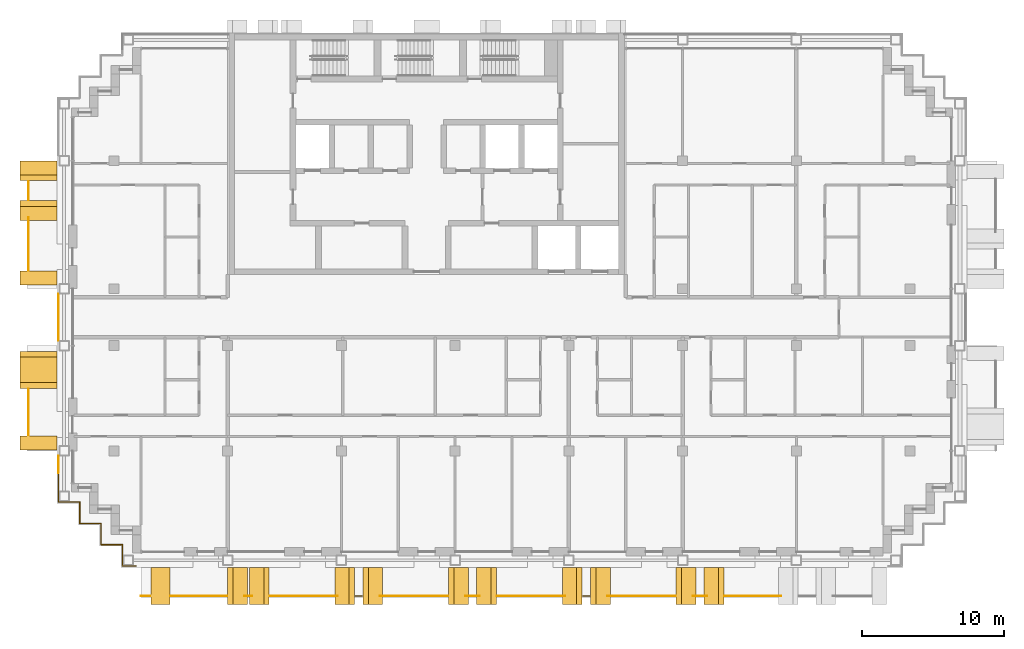
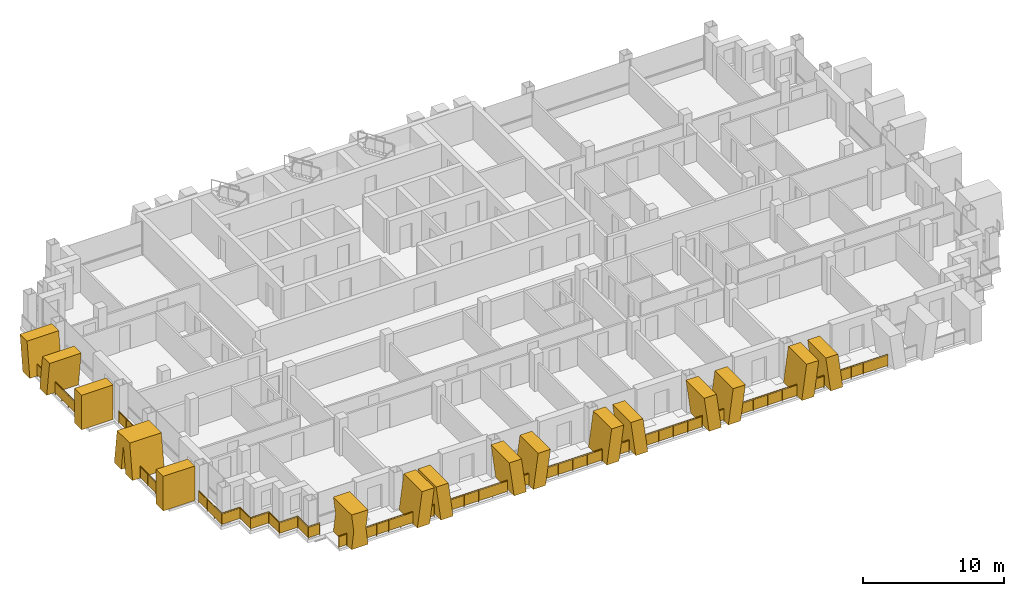
# One storey, part 13 of 16: 18 railings, 16 shading devices.
"""IFC4 building model written with IfcOpenShell, lengths in metres."""

from ifc_helpers import new_model, si_unit, direction, frame, origin, origin_2d, place, context, subcontext, project, spatial, polyline, rectangle, circle, outline, extrude, material, layer, layer_set, type_object, element, save


model = new_model("IFC4")

# Units and contexts
model_context = context("Model", 3, precision=1e-05, world=origin(), true_north=direction((0.0, 1.0)))
body_context = subcontext(model_context, "Body", "Model", "MODEL_VIEW")
ifc_project = project(units=[si_unit("LENGTHUNIT", "METRE"), si_unit("AREAUNIT", "SQUARE_METRE"), si_unit("VOLUMEUNIT", "CUBIC_METRE"), si_unit("PLANEANGLEUNIT", "RADIAN"), si_unit("MASSUNIT", "GRAM", prefix="KILO")], contexts=[model_context])

# Site, building, storey
site_placement = place(None, origin())
site = spatial("IfcSite", under=ifc_project, at=site_placement, CompositionType="ELEMENT")
building_placement = place(site_placement, origin())
building = spatial("IfcBuilding", under=site, at=building_placement, Name="Vidyagriha Tower", CompositionType="ELEMENT")
storey_placement = place(building_placement, frame((0.0, 0.0, 187.699951171875)))
storey = spatial("IfcBuildingStorey", under=building, at=storey_placement, Name="L49", CompositionType="ELEMENT", Elevation=187.699951171875)

# Railings
ifc_material_1 = material(Name="Steel ASTM A500 Grade C black painted", Category="steel")
railing_type_1 = type_object("IfcRailingType", Name="Balcony guard 1100", PredefinedType="BALUSTRADE", material=ifc_material_1)
railing_1_placement = place(storey_placement, frame((-28.0, 9.550048828125, 0.0)))
element("IfcRailing", 1, at=railing_1_placement, inside=storey, type_object=railing_type_1, Name="Balcony guard L49 R16.1-1", PredefinedType="BALUSTRADE", context=body_context, shape_type="SweptSolid", body=[
    extrude(circle(Radius=0.02490234375, at=origin_2d()), frame((0.0, 0.0, 1.0751953125), z_axis=(0.0, -1.0, 0.0), x_axis=(1.0, 0.0, 0.0)), (0.0, 0.0, 1.0), 1.300048828125),
    extrude(circle(Radius=0.02001953125, at=origin_2d()), origin(), (0.0, 0.0, 1.0), 1.050048828125),
    extrude(circle(Radius=0.02001953125, at=origin_2d()), frame((0.0, -0.64990234375, 0.0)), (0.0, 0.0, 1.0), 1.050048828125),
    extrude(circle(Radius=0.02001953125, at=origin_2d()), frame((0.0, -1.300048828125, 0.0)), (0.0, 0.0, 1.0), 1.050048828125),
    extrude(rectangle(XDim=0.010009765625, YDim=0.900146484375, at=origin_2d()), frame((0.0, 0.0, 0.550048828125), z_axis=(0.0, -1.0, 0.0), x_axis=(1.0, 0.0, 0.0)), (0.0, 0.0, 1.0), 1.300048828125),
])
railing_2_placement = place(storey_placement, frame((-28.0, 6.99658203125, 0.0)))
element("IfcRailing", 2, at=railing_2_placement, inside=storey, type_object=railing_type_1, Name="Balcony guard L49 R16.1-2", PredefinedType="BALUSTRADE", context=body_context, shape_type="SweptSolid", body=[
    extrude(circle(Radius=0.02490234375, at=origin_2d()), frame((0.0, 0.0, 1.0751953125), z_axis=(0.0, -1.0, 0.0), x_axis=(1.0, 0.0, 0.0)), (0.0, 0.0, 1.0), 3.696533203125),
    extrude(circle(Radius=0.02001953125, at=origin_2d()), origin(), (0.0, 0.0, 1.0), 1.050048828125),
    extrude(circle(Radius=0.02001953125, at=origin_2d()), frame((0.0, -0.924072265625, 0.0)), (0.0, 0.0, 1.0), 1.050048828125),
    extrude(circle(Radius=0.02001953125, at=origin_2d()), frame((0.0, -1.84814453125, 0.0)), (0.0, 0.0, 1.0), 1.050048828125),
    extrude(circle(Radius=0.02001953125, at=origin_2d()), frame((0.0, -2.7724609375, 0.0)), (0.0, 0.0, 1.0), 1.050048828125),
    extrude(circle(Radius=0.02001953125, at=origin_2d()), frame((0.0, -3.696533203125, 0.0)), (0.0, 0.0, 1.0), 1.050048828125),
    extrude(rectangle(XDim=0.010009765625, YDim=0.900146484375, at=origin_2d()), frame((0.0, 0.0, 0.550048828125), z_axis=(0.0, -1.0, 0.0), x_axis=(1.0, 0.0, 0.0)), (0.0, 0.0, 1.0), 3.696533203125),
])
railing_3_placement = place(storey_placement, frame((-28.0, -5.050048828125, 0.0)))
element("IfcRailing", 3, at=railing_3_placement, inside=storey, type_object=railing_type_1, Name="Balcony guard L49 R16.2-1", PredefinedType="BALUSTRADE", context=body_context, shape_type="SweptSolid", body=[
    extrude(circle(Radius=0.02490234375, at=origin_2d()), frame((0.0, 0.0, 1.0751953125), z_axis=(0.0, -1.0, 0.0), x_axis=(1.0, 0.0, 0.0)), (0.0, 0.0, 1.0), 3.25),
    extrude(circle(Radius=0.02001953125, at=origin_2d()), origin(), (0.0, 0.0, 1.0), 1.050048828125),
    extrude(circle(Radius=0.02001953125, at=origin_2d()), frame((0.0, -1.083251953125, 0.0)), (0.0, 0.0, 1.0), 1.050048828125),
    extrude(circle(Radius=0.02001953125, at=origin_2d()), frame((0.0, -2.166748046875, 0.0)), (0.0, 0.0, 1.0), 1.050048828125),
    extrude(circle(Radius=0.02001953125, at=origin_2d()), frame((0.0, -3.25, 0.0)), (0.0, 0.0, 1.0), 1.050048828125),
    extrude(rectangle(XDim=0.010009765625, YDim=0.900146484375, at=origin_2d()), frame((0.0, 0.0, 0.550048828125), z_axis=(0.0, -1.0, 0.0), x_axis=(1.0, 0.0, 0.0)), (0.0, 0.0, 1.0), 3.25),
])
railing_4_placement = place(storey_placement, frame((-20.10009765625, -19.60009765625, 0.0)))
element("IfcRailing", 4, at=railing_4_placement, inside=storey, type_object=railing_type_1, Name="Balcony guard L49 R23.1-1", PredefinedType="BALUSTRADE", context=body_context, shape_type="SweptSolid", body=[
    extrude(circle(Radius=0.02490234375, at=origin_2d()), frame((0.0, 0.0, 1.0751953125), z_axis=(1.0, 0.0, 0.0), x_axis=(0.0, 1.0, 0.0)), (0.0, 0.0, 1.0), 0.650146484375),
    extrude(circle(Radius=0.02001953125, at=origin_2d()), origin(), (0.0, 0.0, 1.0), 1.050048828125),
    extrude(circle(Radius=0.02001953125, at=origin_2d()), frame((0.650146484375, 0.0, 0.0)), (0.0, 0.0, 1.0), 1.050048828125),
    extrude(rectangle(XDim=0.010009765625, YDim=0.900146484375, at=origin_2d()), frame((0.0, 0.0, 0.550048828125), z_axis=(1.0, 0.0, 0.0), x_axis=(0.0, 1.0, 0.0)), (0.0, 0.0, 1.0), 0.650146484375),
])
railing_5_placement = place(storey_placement, frame((-18.0, -19.60009765625, 0.0)))
element("IfcRailing", 5, at=railing_5_placement, inside=storey, type_object=railing_type_1, Name="Balcony guard L49 R23.1-2", PredefinedType="BALUSTRADE", context=body_context, shape_type="SweptSolid", body=[
    extrude(circle(Radius=0.02490234375, at=origin_2d()), frame((0.0, 0.0, 1.0751953125), z_axis=(1.0, 0.0, 0.0), x_axis=(0.0, 1.0, 0.0)), (0.0, 0.0, 1.0), 3.947265625),
    extrude(circle(Radius=0.02001953125, at=origin_2d()), origin(), (0.0, 0.0, 1.0), 1.050048828125),
    extrude(circle(Radius=0.02001953125, at=origin_2d()), frame((0.98681640625, 0.0, 0.0)), (0.0, 0.0, 1.0), 1.050048828125),
    extrude(circle(Radius=0.02001953125, at=origin_2d()), frame((1.9736328125, 0.0, 0.0)), (0.0, 0.0, 1.0), 1.050048828125),
    extrude(circle(Radius=0.02001953125, at=origin_2d()), frame((2.96044921875, 0.0, 0.0)), (0.0, 0.0, 1.0), 1.050048828125),
    extrude(circle(Radius=0.02001953125, at=origin_2d()), frame((3.947265625, 0.0, 0.0)), (0.0, 0.0, 1.0), 1.050048828125),
    extrude(rectangle(XDim=0.010009765625, YDim=0.900146484375, at=origin_2d()), frame((0.0, 0.0, 0.550048828125), z_axis=(1.0, 0.0, 0.0), x_axis=(0.0, 1.0, 0.0)), (0.0, 0.0, 1.0), 3.947265625),
])
railing_6_placement = place(storey_placement, frame((-12.8046875, -19.60009765625, 0.0)))
element("IfcRailing", 6, at=railing_6_placement, inside=storey, type_object=railing_type_1, Name="Balcony guard L49 R23.1-3", PredefinedType="BALUSTRADE", context=body_context, shape_type="SweptSolid", body=[
    extrude(circle(Radius=0.02490234375, at=origin_2d()), frame((0.0, 0.0, 1.0751953125), z_axis=(1.0, 0.0, 0.0), x_axis=(0.0, 1.0, 0.0)), (0.0, 0.0, 1.0), 0.534423828125),
    extrude(circle(Radius=0.02001953125, at=origin_2d()), origin(), (0.0, 0.0, 1.0), 1.050048828125),
    extrude(circle(Radius=0.02001953125, at=origin_2d()), frame((0.534423828125, 0.0, 0.0)), (0.0, 0.0, 1.0), 1.050048828125),
    extrude(rectangle(XDim=0.010009765625, YDim=0.900146484375, at=origin_2d()), frame((0.0, 0.0, 0.550048828125), z_axis=(1.0, 0.0, 0.0), x_axis=(0.0, 1.0, 0.0)), (0.0, 0.0, 1.0), 0.534423828125),
])
railing_7_placement = place(storey_placement, frame((-11.022216796875, -19.60009765625, 0.0)))
element("IfcRailing", 7, at=railing_7_placement, inside=storey, type_object=railing_type_1, Name="Balcony guard L49 R23.1-4", PredefinedType="BALUSTRADE", context=body_context, shape_type="SweptSolid", body=[
    extrude(circle(Radius=0.02490234375, at=origin_2d()), frame((0.0, 0.0, 1.0751953125), z_axis=(1.0, 0.0, 0.0), x_axis=(0.0, 1.0, 0.0)), (0.0, 0.0, 1.0), 4.755859375),
    extrude(circle(Radius=0.02001953125, at=origin_2d()), origin(), (0.0, 0.0, 1.0), 1.050048828125),
    extrude(circle(Radius=0.02001953125, at=origin_2d()), frame((1.18896484375, 0.0, 0.0)), (0.0, 0.0, 1.0), 1.050048828125),
    extrude(circle(Radius=0.02001953125, at=origin_2d()), frame((2.3779296875, 0.0, 0.0)), (0.0, 0.0, 1.0), 1.050048828125),
    extrude(circle(Radius=0.02001953125, at=origin_2d()), frame((3.56689453125, 0.0, 0.0)), (0.0, 0.0, 1.0), 1.050048828125),
    extrude(circle(Radius=0.02001953125, at=origin_2d()), frame((4.755859375, 0.0, 0.0)), (0.0, 0.0, 1.0), 1.050048828125),
    extrude(rectangle(XDim=0.010009765625, YDim=0.900146484375, at=origin_2d()), frame((0.0, 0.0, 0.550048828125), z_axis=(1.0, 0.0, 0.0), x_axis=(0.0, 1.0, 0.0)), (0.0, 0.0, 1.0), 4.755859375),
])
railing_8_placement = place(storey_placement, frame((-5.014892578125, -19.60009765625, 0.0)))
element("IfcRailing", 8, at=railing_8_placement, inside=storey, type_object=railing_type_1, Name="Balcony guard L49 R23.1-5", PredefinedType="BALUSTRADE", context=body_context, shape_type="SweptSolid", body=[
    extrude(circle(Radius=0.02490234375, at=origin_2d()), frame((0.0, 0.0, 1.0751953125), z_axis=(1.0, 0.0, 0.0), x_axis=(0.0, 1.0, 0.0)), (0.0, 0.0, 1.0), 0.47998046875),
    extrude(circle(Radius=0.02001953125, at=origin_2d()), origin(), (0.0, 0.0, 1.0), 1.050048828125),
    extrude(circle(Radius=0.02001953125, at=origin_2d()), frame((0.47998046875, 0.0, 0.0)), (0.0, 0.0, 1.0), 1.050048828125),
    extrude(rectangle(XDim=0.010009765625, YDim=0.900146484375, at=origin_2d()), frame((0.0, 0.0, 0.550048828125), z_axis=(1.0, 0.0, 0.0), x_axis=(0.0, 1.0, 0.0)), (0.0, 0.0, 1.0), 0.47998046875),
])
railing_9_placement = place(storey_placement, frame((-3.28369140625, -19.60009765625, 0.0)))
element("IfcRailing", 9, at=railing_9_placement, inside=storey, type_object=railing_type_1, Name="Balcony guard L49 R23.1-6", PredefinedType="BALUSTRADE", context=body_context, shape_type="SweptSolid", body=[
    extrude(circle(Radius=0.02490234375, at=origin_2d()), frame((0.0, 0.0, 1.0751953125), z_axis=(1.0, 0.0, 0.0), x_axis=(0.0, 1.0, 0.0)), (0.0, 0.0, 1.0), 4.773681640625),
    extrude(circle(Radius=0.02001953125, at=origin_2d()), origin(), (0.0, 0.0, 1.0), 1.050048828125),
    extrude(circle(Radius=0.02001953125, at=origin_2d()), frame((1.193359375, 0.0, 0.0)), (0.0, 0.0, 1.0), 1.050048828125),
    extrude(circle(Radius=0.02001953125, at=origin_2d()), frame((2.38671875, 0.0, 0.0)), (0.0, 0.0, 1.0), 1.050048828125),
    extrude(circle(Radius=0.02001953125, at=origin_2d()), frame((3.580322265625, 0.0, 0.0)), (0.0, 0.0, 1.0), 1.050048828125),
    extrude(circle(Radius=0.02001953125, at=origin_2d()), frame((4.773681640625, 0.0, 0.0)), (0.0, 0.0, 1.0), 1.050048828125),
    extrude(rectangle(XDim=0.010009765625, YDim=0.900146484375, at=origin_2d()), frame((0.0, 0.0, 0.550048828125), z_axis=(1.0, 0.0, 0.0), x_axis=(0.0, 1.0, 0.0)), (0.0, 0.0, 1.0), 4.773681640625),
])
railing_10_placement = place(storey_placement, frame((2.741455078125, -19.60009765625, 0.0)))
element("IfcRailing", 10, at=railing_10_placement, inside=storey, type_object=railing_type_1, Name="Balcony guard L49 R23.1-7", PredefinedType="BALUSTRADE", context=body_context, shape_type="SweptSolid", body=[
    extrude(circle(Radius=0.02490234375, at=origin_2d()), frame((0.0, 0.0, 1.0751953125), z_axis=(1.0, 0.0, 0.0), x_axis=(0.0, 1.0, 0.0)), (0.0, 0.0, 1.0), 0.967041015625),
    extrude(circle(Radius=0.02001953125, at=origin_2d()), origin(), (0.0, 0.0, 1.0), 1.050048828125),
    extrude(circle(Radius=0.02001953125, at=origin_2d()), frame((0.967041015625, 0.0, 0.0)), (0.0, 0.0, 1.0), 1.050048828125),
    extrude(rectangle(XDim=0.010009765625, YDim=0.900146484375, at=origin_2d()), frame((0.0, 0.0, 0.550048828125), z_axis=(1.0, 0.0, 0.0), x_axis=(0.0, 1.0, 0.0)), (0.0, 0.0, 1.0), 0.967041015625),
])
railing_11_placement = place(storey_placement, frame((4.9599609375, -19.60009765625, 0.0)))
element("IfcRailing", 11, at=railing_11_placement, inside=storey, type_object=railing_type_1, Name="Balcony guard L49 R23.1-8", PredefinedType="BALUSTRADE", context=body_context, shape_type="SweptSolid", body=[
    extrude(circle(Radius=0.02490234375, at=origin_2d()), frame((0.0, 0.0, 1.0751953125), z_axis=(1.0, 0.0, 0.0), x_axis=(0.0, 1.0, 0.0)), (0.0, 0.0, 1.0), 4.773681640625),
    extrude(circle(Radius=0.02001953125, at=origin_2d()), origin(), (0.0, 0.0, 1.0), 1.050048828125),
    extrude(circle(Radius=0.02001953125, at=origin_2d()), frame((1.193359375, 0.0, 0.0)), (0.0, 0.0, 1.0), 1.050048828125),
    extrude(circle(Radius=0.02001953125, at=origin_2d()), frame((2.38671875, 0.0, 0.0)), (0.0, 0.0, 1.0), 1.050048828125),
    extrude(circle(Radius=0.02001953125, at=origin_2d()), frame((3.580322265625, 0.0, 0.0)), (0.0, 0.0, 1.0), 1.050048828125),
    extrude(circle(Radius=0.02001953125, at=origin_2d()), frame((4.773681640625, 0.0, 0.0)), (0.0, 0.0, 1.0), 1.050048828125),
    extrude(rectangle(XDim=0.010009765625, YDim=0.900146484375, at=origin_2d()), frame((0.0, 0.0, 0.550048828125), z_axis=(1.0, 0.0, 0.0), x_axis=(0.0, 1.0, 0.0)), (0.0, 0.0, 1.0), 4.773681640625),
])
railing_12_placement = place(storey_placement, frame((10.985107421875, -19.60009765625, 0.0)))
element("IfcRailing", 12, at=railing_12_placement, inside=storey, type_object=railing_type_1, Name="Balcony guard L49 R23.1-9", PredefinedType="BALUSTRADE", context=body_context, shape_type="SweptSolid", body=[
    extrude(circle(Radius=0.02490234375, at=origin_2d()), frame((0.0, 0.0, 1.0751953125), z_axis=(1.0, 0.0, 0.0), x_axis=(0.0, 1.0, 0.0)), (0.0, 0.0, 1.0), 0.47998046875),
    extrude(circle(Radius=0.02001953125, at=origin_2d()), origin(), (0.0, 0.0, 1.0), 1.050048828125),
    extrude(circle(Radius=0.02001953125, at=origin_2d()), frame((0.47998046875, 0.0, 0.0)), (0.0, 0.0, 1.0), 1.050048828125),
    extrude(rectangle(XDim=0.010009765625, YDim=0.900146484375, at=origin_2d()), frame((0.0, 0.0, 0.550048828125), z_axis=(1.0, 0.0, 0.0), x_axis=(0.0, 1.0, 0.0)), (0.0, 0.0, 1.0), 0.47998046875),
])
railing_13_placement = place(storey_placement, frame((12.71630859375, -19.60009765625, 0.0)))
element("IfcRailing", 13, at=railing_13_placement, inside=storey, type_object=railing_type_1, Name="Balcony guard L49 R23.1-10", PredefinedType="BALUSTRADE", context=body_context, shape_type="SweptSolid", body=[
    extrude(circle(Radius=0.02490234375, at=origin_2d()), frame((0.0, 0.0, 1.0751953125), z_axis=(1.0, 0.0, 0.0), x_axis=(0.0, 1.0, 0.0)), (0.0, 0.0, 1.0), 4.773681640625),
    extrude(circle(Radius=0.02001953125, at=origin_2d()), origin(), (0.0, 0.0, 1.0), 1.050048828125),
    extrude(circle(Radius=0.02001953125, at=origin_2d()), frame((1.193359375, 0.0, 0.0)), (0.0, 0.0, 1.0), 1.050048828125),
    extrude(circle(Radius=0.02001953125, at=origin_2d()), frame((2.38671875, 0.0, 0.0)), (0.0, 0.0, 1.0), 1.050048828125),
    extrude(circle(Radius=0.02001953125, at=origin_2d()), frame((3.580322265625, 0.0, 0.0)), (0.0, 0.0, 1.0), 1.050048828125),
    extrude(circle(Radius=0.02001953125, at=origin_2d()), frame((4.773681640625, 0.0, 0.0)), (0.0, 0.0, 1.0), 1.050048828125),
    extrude(rectangle(XDim=0.010009765625, YDim=0.900146484375, at=origin_2d()), frame((0.0, 0.0, 0.550048828125), z_axis=(1.0, 0.0, 0.0), x_axis=(0.0, 1.0, 0.0)), (0.0, 0.0, 1.0), 4.773681640625),
])
railing_14_placement = place(storey_placement, frame((18.741455078125, -19.60009765625, 0.0)))
element("IfcRailing", 14, at=railing_14_placement, inside=storey, type_object=railing_type_1, Name="Balcony guard L49 R23.1-11", PredefinedType="BALUSTRADE", context=body_context, shape_type="SweptSolid", body=[
    extrude(circle(Radius=0.02490234375, at=origin_2d()), frame((0.0, 0.0, 1.0751953125), z_axis=(1.0, 0.0, 0.0), x_axis=(0.0, 1.0, 0.0)), (0.0, 0.0, 1.0), 0.967041015625),
    extrude(circle(Radius=0.02001953125, at=origin_2d()), origin(), (0.0, 0.0, 1.0), 1.050048828125),
    extrude(circle(Radius=0.02001953125, at=origin_2d()), frame((0.967041015625, 0.0, 0.0)), (0.0, 0.0, 1.0), 1.050048828125),
    extrude(rectangle(XDim=0.010009765625, YDim=0.900146484375, at=origin_2d()), frame((0.0, 0.0, 0.550048828125), z_axis=(1.0, 0.0, 0.0), x_axis=(0.0, 1.0, 0.0)), (0.0, 0.0, 1.0), 0.967041015625),
])
railing_15_placement = place(storey_placement, frame((20.9599609375, -19.60009765625, 0.0)))
element("IfcRailing", 15, at=railing_15_placement, inside=storey, type_object=railing_type_1, Name="Balcony guard L49 R23.1-12", PredefinedType="BALUSTRADE", context=body_context, shape_type="SweptSolid", body=[
    extrude(circle(Radius=0.02490234375, at=origin_2d()), frame((0.0, 0.0, 1.0751953125), z_axis=(1.0, 0.0, 0.0), x_axis=(0.0, 1.0, 0.0)), (0.0, 0.0, 1.0), 3.97119140625),
    extrude(circle(Radius=0.02001953125, at=origin_2d()), origin(), (0.0, 0.0, 1.0), 1.050048828125),
    extrude(circle(Radius=0.02001953125, at=origin_2d()), frame((0.99267578125, 0.0, 0.0)), (0.0, 0.0, 1.0), 1.050048828125),
    extrude(circle(Radius=0.02001953125, at=origin_2d()), frame((1.985595703125, 0.0, 0.0)), (0.0, 0.0, 1.0), 1.050048828125),
    extrude(circle(Radius=0.02001953125, at=origin_2d()), frame((2.978515625, 0.0, 0.0)), (0.0, 0.0, 1.0), 1.050048828125),
    extrude(circle(Radius=0.02001953125, at=origin_2d()), frame((3.97119140625, 0.0, 0.0)), (0.0, 0.0, 1.0), 1.050048828125),
    extrude(rectangle(XDim=0.010009765625, YDim=0.900146484375, at=origin_2d()), frame((0.0, 0.0, 0.550048828125), z_axis=(1.0, 0.0, 0.0), x_axis=(0.0, 1.0, 0.0)), (0.0, 0.0, 1.0), 3.97119140625),
])

# Shading devices
ifc_material_2 = material(Name="Precast concrete C40/50 with buff brick facing", Category="concrete")
ifc_layer_1 = layer(ifc_material_2, 1.0)
ifc_layer_set_1 = layer_set([ifc_layer_1], Name="Precast concrete C40/50 with buff brick facing")
shading_device_type_1 = type_object("IfcShadingDeviceType", Name="Brick-faced blade fin arm leaning 8 degrees", PredefinedType="USERDEFINED", material=ifc_layer_set_1)
shading_device_1_placement = place(storey_placement, frame((-27.300048828125, 8.199951171875, 0.0), z_axis=(0.0, 0.0, 1.0), x_axis=(0.0, -1.0, 0.0)))
element("IfcShadingDevice", 16, at=shading_device_1_placement, inside=storey, type_object=shading_device_type_1, Name="Leaning blade fin L49 R16.310a", ObjectType="BLADE FIN", PredefinedType="USERDEFINED", context=body_context, shape_type="SweptSolid", body=[
    extrude(outline(polyline([(0.0, 0.0), (1.0, 0.0), (1.39990234375, 3.0), (0.39990234375, 3.0), (0.0, 0.0)])), frame((0.0, 1.300048828125, 0.0), z_axis=(0.0, -1.0, 0.0), x_axis=(1.0, 0.0, 0.0)), (0.0, 0.0, 1.0), 2.60009765625),
])
shading_device_2_placement = place(storey_placement, frame((-27.300048828125, 11.0, 0.0), z_axis=(0.0, 0.0, 1.0), x_axis=(0.0, -1.0, 0.0)))
element("IfcShadingDevice", 17, at=shading_device_2_placement, inside=storey, type_object=shading_device_type_1, Name="Leaning blade fin L49 R16.310b", ObjectType="BLADE FIN", PredefinedType="USERDEFINED", context=body_context, shape_type="SweptSolid", body=[
    extrude(outline(polyline([(0.39990234375, 0.0), (1.39990234375, 0.0), (1.0, 3.0), (0.0, 3.0), (0.39990234375, 0.0)])), frame((0.0, 1.300048828125, 0.0), z_axis=(0.0, -1.0, 0.0), x_axis=(1.0, 0.0, 0.0)), (0.0, 0.0, 1.0), 2.60009765625),
])
shading_device_3_placement = place(storey_placement, frame((-12.458251953125, -18.89990234375, 0.0)))
element("IfcShadingDevice", 18, at=shading_device_3_placement, inside=storey, type_object=shading_device_type_1, Name="Leaning blade fin L49 R23.610a", ObjectType="BLADE FIN", PredefinedType="USERDEFINED", context=body_context, shape_type="SweptSolid", body=[
    extrude(outline(polyline([(0.385986328125, 0.0), (1.385986328125, 0.0), (1.0, 3.0), (0.0, 3.0), (0.385986328125, 0.0)])), frame((0.0, 1.300048828125, 0.0), z_axis=(0.0, -1.0, 0.0), x_axis=(1.0, 0.0, 0.0)), (0.0, 0.0, 1.0), 2.60009765625),
])
shading_device_4_placement = place(storey_placement, frame((-14.002685546875, -18.89990234375, 0.0)))
element("IfcShadingDevice", 19, at=shading_device_4_placement, inside=storey, type_object=shading_device_type_1, Name="Leaning blade fin L49 R23.610b", ObjectType="BLADE FIN", PredefinedType="USERDEFINED", context=body_context, shape_type="SweptSolid", body=[
    extrude(outline(polyline([(0.0, 0.0), (1.0, 0.0), (1.385986328125, 3.0), (0.385986328125, 3.0), (0.0, 0.0)])), frame((0.0, 1.300048828125, 0.0), z_axis=(0.0, -1.0, 0.0), x_axis=(1.0, 0.0, 0.0)), (0.0, 0.0, 1.0), 2.60009765625),
])
shading_device_5_placement = place(storey_placement, frame((-4.485107421875, -18.89990234375, 0.0)))
element("IfcShadingDevice", 20, at=shading_device_5_placement, inside=storey, type_object=shading_device_type_1, Name="Leaning blade fin L49 R23.1410a", ObjectType="BLADE FIN", PredefinedType="USERDEFINED", context=body_context, shape_type="SweptSolid", body=[
    extrude(outline(polyline([(0.0, 0.0), (1.0, 0.0), (1.39501953125, 3.0), (0.39501953125, 3.0), (0.0, 0.0)])), frame((0.0, 1.300048828125, 0.0), z_axis=(0.0, -1.0, 0.0), x_axis=(1.0, 0.0, 0.0)), (0.0, 0.0, 1.0), 2.60009765625),
])
for number, where, name in (
    (21, (-6.4599609375, -18.89990234375, 0.0), "Leaning blade fin L49 R23.1410b"),
    (22, (3.514892578125, -18.89990234375, 0.0), "Leaning blade fin L49 R23.2210a"),
):
    element("IfcShadingDevice", number, at=place(storey_placement, frame(where)), inside=storey, type_object=shading_device_type_1, Name=name, ObjectType="BLADE FIN", PredefinedType="USERDEFINED", context=body_context, shape_type="SweptSolid", body=[
        extrude(outline(polyline([(0.39501953125, 0.0), (1.39501953125, 0.0), (1.0, 3.0), (0.0, 3.0), (0.39501953125, 0.0)])), frame((0.0, 1.300048828125, 0.0), z_axis=(0.0, -1.0, 0.0), x_axis=(1.0, 0.0, 0.0)), (0.0, 0.0, 1.0), 2.60009765625),
    ])
for number, where, name in (
    (23, (1.5400390625, -18.89990234375, 0.0), "Leaning blade fin L49 R23.2210b"),
    (24, (11.514892578125, -18.89990234375, 0.0), "Leaning blade fin L49 R23.3010a"),
):
    element("IfcShadingDevice", number, at=place(storey_placement, frame(where)), inside=storey, type_object=shading_device_type_1, Name=name, ObjectType="BLADE FIN", PredefinedType="USERDEFINED", context=body_context, shape_type="SweptSolid", body=[
        extrude(outline(polyline([(0.0, 0.0), (1.0, 0.0), (1.39501953125, 3.0), (0.39501953125, 3.0), (0.0, 0.0)])), frame((0.0, 1.300048828125, 0.0), z_axis=(0.0, -1.0, 0.0), x_axis=(1.0, 0.0, 0.0)), (0.0, 0.0, 1.0), 2.60009765625),
    ])
for number, where, name in (
    (25, (9.5400390625, -18.89990234375, 0.0), "Leaning blade fin L49 R23.3010b"),
    (26, (19.514892578125, -18.89990234375, 0.0), "Leaning blade fin L49 R23.3810a"),
):
    element("IfcShadingDevice", number, at=place(storey_placement, frame(where)), inside=storey, type_object=shading_device_type_1, Name=name, ObjectType="BLADE FIN", PredefinedType="USERDEFINED", context=body_context, shape_type="SweptSolid", body=[
        extrude(outline(polyline([(0.39501953125, 0.0), (1.39501953125, 0.0), (1.0, 3.0), (0.0, 3.0), (0.39501953125, 0.0)])), frame((0.0, 1.300048828125, 0.0), z_axis=(0.0, -1.0, 0.0), x_axis=(1.0, 0.0, 0.0)), (0.0, 0.0, 1.0), 2.60009765625),
    ])
shading_device_6_placement = place(storey_placement, frame((17.5400390625, -18.89990234375, 0.0)))
element("IfcShadingDevice", 27, at=shading_device_6_placement, inside=storey, type_object=shading_device_type_1, Name="Leaning blade fin L49 R23.3810b", ObjectType="BLADE FIN", PredefinedType="USERDEFINED", context=body_context, shape_type="SweptSolid", body=[
    extrude(outline(polyline([(0.0, 0.0), (1.0, 0.0), (1.39501953125, 3.0), (0.39501953125, 3.0), (0.0, 0.0)])), frame((0.0, 1.300048828125, 0.0), z_axis=(0.0, -1.0, 0.0), x_axis=(1.0, 0.0, 0.0)), (0.0, 0.0, 1.0), 2.60009765625),
])
ifc_material_3 = material(Name="Precast concrete C40/50 with buff brick facing", Category="concrete")
ifc_layer_2 = layer(ifc_material_3, 1.0)
ifc_layer_set_2 = layer_set([ifc_layer_2], Name="Precast concrete C40/50 with buff brick facing")
shading_device_type_2 = type_object("IfcShadingDeviceType", Name="Brick-faced blade fin forking 8 degrees", PredefinedType="USERDEFINED", material=ifc_layer_set_2)
shading_device_7_placement = place(storey_placement, frame((-27.300048828125, -2.39990234375, 0.0), z_axis=(0.0, 0.0, 1.0), x_axis=(0.0, -1.0, 0.0)))
element("IfcShadingDevice", 28, at=shading_device_7_placement, inside=storey, type_object=shading_device_type_2, Name="Forked blade fin L49 R16.1610a", ObjectType="BLADE FIN", PredefinedType="USERDEFINED", context=body_context, shape_type="SweptSolid", body=[
    extrude(outline(polyline([(1.0, 0.0), (1.300048828125, 2.25), (1.60009765625, 0.0), (2.60009765625, 0.0), (2.199951171875, 3.0), (0.39990234375, 3.0), (0.0, 0.0), (1.0, 0.0)])), frame((0.0, 1.300048828125, 0.0), z_axis=(0.0, -1.0, 0.0), x_axis=(1.0, 0.0, 0.0)), (0.0, 0.0, 1.0), 2.60009765625),
])
shading_device_8_placement = place(storey_placement, frame((-19.39990234375, -18.89990234375, 0.0)))
element("IfcShadingDevice", 29, at=shading_device_8_placement, inside=storey, type_object=shading_device_type_2, Name="Forked blade fin L49 R23.0a", ObjectType="BLADE FIN", PredefinedType="USERDEFINED", context=body_context, shape_type="SweptSolid", body=[
    extrude(outline(polyline([(1.35009765625, 0.0), (1.175048828125, 1.5), (1.35009765625, 3.0), (0.0, 3.0), (0.175048828125, 1.5), (0.0, 0.0), (1.35009765625, 0.0)])), frame((0.0, 1.300048828125, 0.0), z_axis=(0.0, -1.0, 0.0), x_axis=(1.0, 0.0, 0.0)), (0.0, 0.0, 1.0), 2.60009765625),
])
ifc_material_4 = material(Name="Precast concrete C40/50 with buff brick facing", Category="concrete")
ifc_layer_3 = layer(ifc_material_4, 1.0)
ifc_layer_set_3 = layer_set([ifc_layer_3], Name="Precast concrete C40/50 with buff brick facing")
shading_device_type_3 = type_object("IfcShadingDeviceType", Name="Brick-faced blade fin stem 1000", PredefinedType="USERDEFINED", material=ifc_layer_set_3)
for number, where, z_axis, x_axis, name in (
    (30, (-27.300048828125, 3.25, 0.0), (0.0, 0.0, 1.0), (0.0, -1.0, 0.0), "Stem blade fin L49 R16.1210a"),
    (31, (-27.300048828125, -8.35009765625, 0.0), (0.0, 0.0, 1.0), (0.0, -1.0, 0.0), "Stem blade fin L49 R16.2350a"),
):
    element("IfcShadingDevice", number, at=place(storey_placement, frame(where, z_axis=z_axis, x_axis=x_axis)), inside=storey, type_object=shading_device_type_3, Name=name, ObjectType="BLADE FIN", PredefinedType="USERDEFINED", context=body_context, shape_type="SweptSolid", body=[
        extrude(outline(polyline([(0.0, 0.0), (1.0, 0.0), (1.0, 3.0), (0.0, 3.0), (0.0, 0.0)])), frame((0.0, 1.300048828125, 0.0), z_axis=(0.0, -1.0, 0.0), x_axis=(1.0, 0.0, 0.0)), (0.0, 0.0, 1.0), 2.60009765625),
    ])

# Railings
ifc_material_5 = material(Name="Steel ASTM A500 Grade C black painted", Category="steel")
railing_type_2 = type_object("IfcRailingType", Name="Gallery guard 1100", PredefinedType="GUARDRAIL", material=ifc_material_5)
railing_16_placement = place(storey_placement, frame((-20.4599609375, -17.5, 0.0)))
element("IfcRailing", 32, at=railing_16_placement, inside=storey, type_object=railing_type_2, Name="Gallery guard L49 1", PredefinedType="GUARDRAIL", context=body_context, shape_type="SweptSolid", body=[
    extrude(circle(Radius=0.02490234375, at=origin_2d()), frame((0.0, 0.0, 1.0751953125), z_axis=(-1.0, 0.0, 0.0), x_axis=(0.0, -1.0, 0.0)), (0.0, 0.0, 1.0), 0.93994140625),
    extrude(circle(Radius=0.02490234375, at=origin_2d()), frame((-0.93994140625, 0.0, 1.0751953125), z_axis=(0.0, 1.0, 0.0), x_axis=(-1.0, 0.0, 0.0)), (0.0, 0.0, 1.0), 1.5),
    extrude(circle(Radius=0.02490234375, at=origin_2d()), frame((-0.93994140625, 1.5, 1.0751953125), z_axis=(-1.0, 0.0, 0.0), x_axis=(0.0, -1.0, 0.0)), (0.0, 0.0, 1.0), 1.5),
    extrude(circle(Radius=0.02490234375, at=origin_2d()), frame((-2.43994140625, 1.5, 1.0751953125), z_axis=(0.0, 1.0, 0.0), x_axis=(-1.0, 0.0, 0.0)), (0.0, 0.0, 1.0), 1.5),
    extrude(circle(Radius=0.02490234375, at=origin_2d()), frame((-2.43994140625, 3.0, 1.0751953125), z_axis=(-1.0, 0.0, 0.0), x_axis=(0.0, -1.0, 0.0)), (0.0, 0.0, 1.0), 1.5),
    extrude(circle(Radius=0.02490234375, at=origin_2d()), frame((-3.93994140625, 3.0, 1.0751953125), z_axis=(0.0, 1.0, 0.0), x_axis=(-1.0, 0.0, 0.0)), (0.0, 0.0, 1.0), 1.5),
    extrude(circle(Radius=0.02490234375, at=origin_2d()), frame((-3.93994140625, 4.5, 1.0751953125), z_axis=(-1.0, 0.0, 0.0), x_axis=(0.0, -1.0, 0.0)), (0.0, 0.0, 1.0), 1.5),
    extrude(circle(Radius=0.02490234375, at=origin_2d()), frame((-5.43994140625, 4.5, 1.0751953125), z_axis=(0.0, 1.0, 0.0), x_axis=(-1.0, 0.0, 0.0)), (0.0, 0.0, 1.0), 2.06005859375),
    extrude(circle(Radius=0.02001953125, at=origin_2d()), origin(), (0.0, 0.0, 1.0), 1.050048828125),
    extrude(circle(Radius=0.02001953125, at=origin_2d()), frame((-0.93994140625, 0.0, 0.0)), (0.0, 0.0, 1.0), 1.050048828125),
    extrude(circle(Radius=0.02001953125, at=origin_2d()), frame((-0.93994140625, 1.5, 0.0)), (0.0, 0.0, 1.0), 1.050048828125),
    extrude(circle(Radius=0.02001953125, at=origin_2d()), frame((-2.43994140625, 1.5, 0.0)), (0.0, 0.0, 1.0), 1.050048828125),
    extrude(circle(Radius=0.02001953125, at=origin_2d()), frame((-2.43994140625, 3.0, 0.0)), (0.0, 0.0, 1.0), 1.050048828125),
    extrude(circle(Radius=0.02001953125, at=origin_2d()), frame((-3.93994140625, 3.0, 0.0)), (0.0, 0.0, 1.0), 1.050048828125),
    extrude(circle(Radius=0.02001953125, at=origin_2d()), frame((-3.93994140625, 4.5, 0.0)), (0.0, 0.0, 1.0), 1.050048828125),
    extrude(circle(Radius=0.02001953125, at=origin_2d()), frame((-5.43994140625, 4.5, 0.0)), (0.0, 0.0, 1.0), 1.050048828125),
    extrude(circle(Radius=0.02001953125, at=origin_2d()), frame((-5.43994140625, 5.530029296875, 0.0)), (0.0, 0.0, 1.0), 1.050048828125),
    extrude(circle(Radius=0.02001953125, at=origin_2d()), frame((-5.43994140625, 6.56005859375, 0.0)), (0.0, 0.0, 1.0), 1.050048828125),
    extrude(rectangle(XDim=0.010009765625, YDim=0.900146484375, at=origin_2d()), frame((0.0, 0.0, 0.550048828125), z_axis=(-1.0, 0.0, 0.0), x_axis=(0.0, -1.0, 0.0)), (0.0, 0.0, 1.0), 0.93994140625),
    extrude(rectangle(XDim=0.010009765625, YDim=0.900146484375, at=origin_2d()), frame((-0.93994140625, 0.0, 0.550048828125), z_axis=(0.0, 1.0, 0.0), x_axis=(-1.0, 0.0, 0.0)), (0.0, 0.0, 1.0), 1.5),
    extrude(rectangle(XDim=0.010009765625, YDim=0.900146484375, at=origin_2d()), frame((-0.93994140625, 1.5, 0.550048828125), z_axis=(-1.0, 0.0, 0.0), x_axis=(0.0, -1.0, 0.0)), (0.0, 0.0, 1.0), 1.5),
    extrude(rectangle(XDim=0.010009765625, YDim=0.900146484375, at=origin_2d()), frame((-2.43994140625, 1.5, 0.550048828125), z_axis=(0.0, 1.0, 0.0), x_axis=(-1.0, 0.0, 0.0)), (0.0, 0.0, 1.0), 1.5),
    extrude(rectangle(XDim=0.010009765625, YDim=0.900146484375, at=origin_2d()), frame((-2.43994140625, 3.0, 0.550048828125), z_axis=(-1.0, 0.0, 0.0), x_axis=(0.0, -1.0, 0.0)), (0.0, 0.0, 1.0), 1.5),
    extrude(rectangle(XDim=0.010009765625, YDim=0.900146484375, at=origin_2d()), frame((-3.93994140625, 3.0, 0.550048828125), z_axis=(0.0, 1.0, 0.0), x_axis=(-1.0, 0.0, 0.0)), (0.0, 0.0, 1.0), 1.5),
    extrude(rectangle(XDim=0.010009765625, YDim=0.900146484375, at=origin_2d()), frame((-3.93994140625, 4.5, 0.550048828125), z_axis=(-1.0, 0.0, 0.0), x_axis=(0.0, -1.0, 0.0)), (0.0, 0.0, 1.0), 1.5),
    extrude(rectangle(XDim=0.010009765625, YDim=0.900146484375, at=origin_2d()), frame((-5.43994140625, 4.5, 0.550048828125), z_axis=(0.0, 1.0, 0.0), x_axis=(-1.0, 0.0, 0.0)), (0.0, 0.0, 1.0), 2.06005859375),
])
railing_17_placement = place(storey_placement, frame((-25.89990234375, -10.93994140625, 0.0)))
element("IfcRailing", 33, at=railing_17_placement, inside=storey, type_object=railing_type_2, Name="Gallery guard L49 2", PredefinedType="GUARDRAIL", context=body_context, shape_type="SweptSolid", body=[
    extrude(circle(Radius=0.02490234375, at=origin_2d()), frame((0.0, 0.0, 1.0751953125), z_axis=(0.0, 1.0, 0.0), x_axis=(-1.0, 0.0, 0.0)), (0.0, 0.0, 1.0), 1.179931640625),
    extrude(circle(Radius=0.02001953125, at=origin_2d()), origin(), (0.0, 0.0, 1.0), 1.050048828125),
    extrude(circle(Radius=0.02001953125, at=origin_2d()), frame((0.0, 1.179931640625, 0.0)), (0.0, 0.0, 1.0), 1.050048828125),
    extrude(rectangle(XDim=0.010009765625, YDim=0.900146484375, at=origin_2d()), frame((0.0, 0.0, 0.550048828125), z_axis=(0.0, 1.0, 0.0), x_axis=(-1.0, 0.0, 0.0)), (0.0, 0.0, 1.0), 1.179931640625),
])
railing_18_placement = place(storey_placement, frame((-25.89990234375, -1.639892578125, 0.0)))
element("IfcRailing", 34, at=railing_18_placement, inside=storey, type_object=railing_type_2, Name="Gallery guard L49 3", PredefinedType="GUARDRAIL", context=body_context, shape_type="SweptSolid", body=[
    extrude(circle(Radius=0.02490234375, at=origin_2d()), frame((0.0, 0.0, 1.0751953125), z_axis=(0.0, 1.0, 0.0), x_axis=(-1.0, 0.0, 0.0)), (0.0, 0.0, 1.0), 3.27978515625),
    extrude(circle(Radius=0.02001953125, at=origin_2d()), origin(), (0.0, 0.0, 1.0), 1.050048828125),
    extrude(circle(Radius=0.02001953125, at=origin_2d()), frame((0.0, 1.09326171875, 0.0)), (0.0, 0.0, 1.0), 1.050048828125),
    extrude(circle(Radius=0.02001953125, at=origin_2d()), frame((0.0, 2.1865234375, 0.0)), (0.0, 0.0, 1.0), 1.050048828125),
    extrude(circle(Radius=0.02001953125, at=origin_2d()), frame((0.0, 3.27978515625, 0.0)), (0.0, 0.0, 1.0), 1.050048828125),
    extrude(rectangle(XDim=0.010009765625, YDim=0.900146484375, at=origin_2d()), frame((0.0, 0.0, 0.550048828125), z_axis=(0.0, 1.0, 0.0), x_axis=(-1.0, 0.0, 0.0)), (0.0, 0.0, 1.0), 3.27978515625),
])

save(model, "model.ifc")
